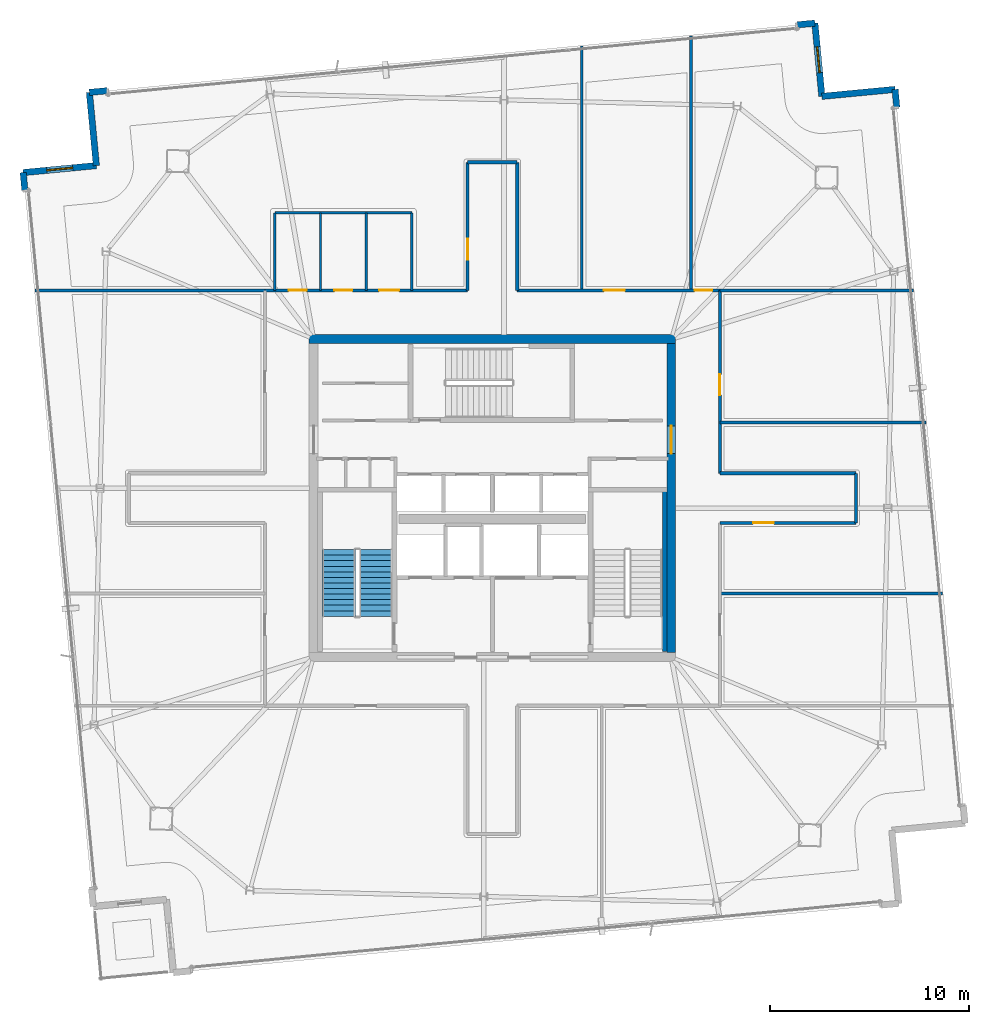
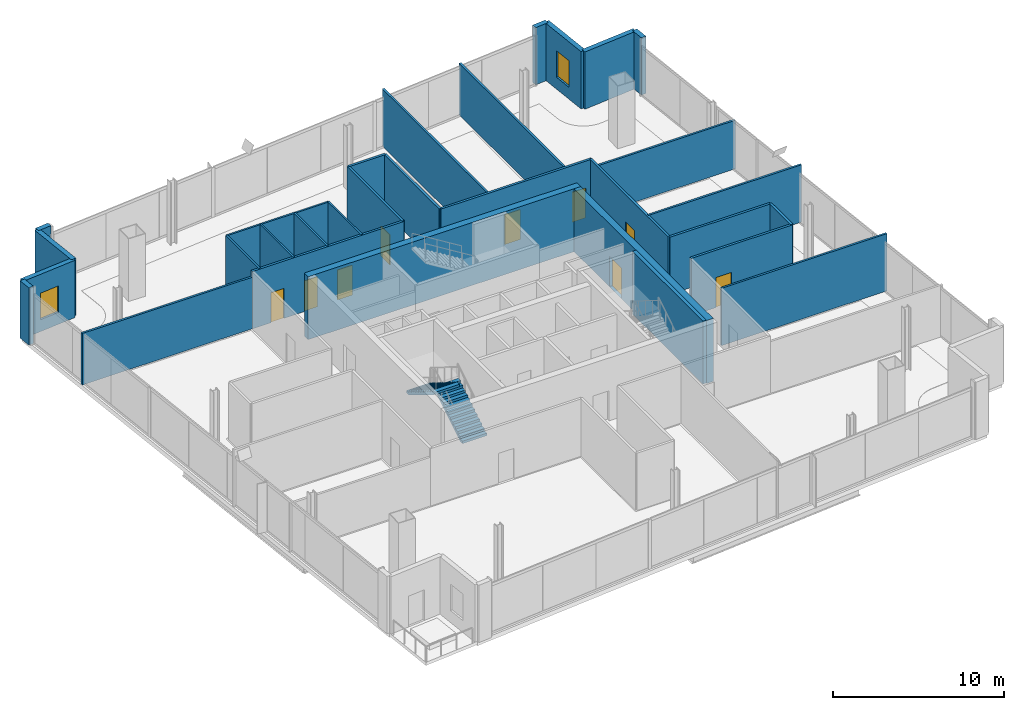
# One storey, part 20 of 24: 31 walls, 9 doors, 2 stair flights, 2 windows, 11 openings, 1 element without a shape of its own.
"""IFC4 building model written with IfcOpenShell, lengths in metres."""

from ifc_helpers import new_model, si_unit, direction, frame, frame_2d, origin, place, context, subcontext, project, spatial, polyline, rectangle, outline, extrude, material, layer, layer_set, type_object, element, fill, aggregate, save


model = new_model("IFC4")

# Units and contexts
model_context = context("Model", 3, precision=1e-05, world=origin(), true_north=direction((0.0, 1.0)))
body_context = subcontext(model_context, "Body", "Model", "MODEL_VIEW")
ifc_project = project(units=[si_unit("LENGTHUNIT", "METRE"), si_unit("AREAUNIT", "SQUARE_METRE"), si_unit("VOLUMEUNIT", "CUBIC_METRE"), si_unit("PLANEANGLEUNIT", "RADIAN"), si_unit("MASSUNIT", "GRAM", prefix="KILO")], contexts=[model_context])

# Site, building, storey
site_placement = place(None, origin())
site = spatial("IfcSite", under=ifc_project, at=site_placement, CompositionType="ELEMENT")
building_placement = place(site_placement, origin())
building = spatial("IfcBuilding", under=site, at=building_placement, Name="Haldenkirk Collegiate Tower", CompositionType="ELEMENT")
storey_placement = place(building_placement, frame((0.0, 0.0, 347.699951171875)))
storey = spatial("IfcBuildingStorey", under=building, at=storey_placement, Name="L88", CompositionType="ELEMENT", Elevation=347.699951171875)

# Wall
ifc_material_1 = material(Name="Concrete f'c 55 MPa", Category="concrete")
ifc_layer_1 = layer(ifc_material_1, 0.449951171875)
ifc_layer_set_1 = layer_set([ifc_layer_1], Name="Concrete f'c 55 MPa")
wall_type_1 = type_object("IfcWallType", Name="WL-CORE-450", PredefinedType="SHEAR", material=ifc_layer_set_1)
wall_1_placement = place(storey_placement, frame((26.77490234375, 34.0, 0.0), z_axis=(0.0, 0.0, 1.0), x_axis=(1.0, 0.0, 0.0)))
element("IfcWall", 1, at=wall_1_placement, inside=storey, type_object=wall_type_1, Name="L88 central core shear wall N", PredefinedType="SHEAR", context=body_context, shape_type="SweptSolid", body=[
    extrude(rectangle(XDim=18.4501953125, YDim=0.449951171875, at=frame_2d((9.22509765625, 0.0))), origin(), (0.0, 0.0, 1.0), 4.5),
])

# Wall, opening, door
wall_2_placement = place(storey_placement, frame((45.0, 18.22509765625, 0.0), z_axis=(0.0, 0.0, 1.0), x_axis=(0.0, 1.0, 0.0)))
wall_2 = element("IfcWall", 2, at=wall_2_placement, inside=storey, type_object=wall_type_1, Name="L88 central core shear wall E", PredefinedType="SHEAR", context=body_context, shape_type="SweptSolid", body=[
    extrude(rectangle(XDim=15.5498046875, YDim=0.449951171875, at=frame_2d((7.77490234375, 0.0))), origin(), (0.0, 0.0, 1.0), 4.5),
])
opening_1_placement = place(wall_2_placement, frame((10.014892578125, 0.0, 0.0)))
opening_1 = element("IfcOpeningElement", 3, at=opening_1_placement, cuts=wall_2, Name="Opening D-03", PredefinedType="OPENING", context=body_context, shape_type="SweptSolid", body=[
    extrude(rectangle(XDim=1.39990234375, YDim=2.199951171875, at=frame_2d((0.699951171875, 1.10009765625))), frame((0.0, 0.23486328125, 0.0), z_axis=(0.0, -1.0, 0.0), x_axis=(1.0, 0.0, 0.0)), (0.0, 0.0, 1.0), 0.469970703125),
])
ifc_material_2 = material(Name="Galvanized fire-rated hollow steel door", Category="steel")
ifc_layer_2 = layer(ifc_material_2, 0.06005859375)
ifc_layer_set_2 = layer_set([ifc_layer_2], Name="Galvanized fire-rated hollow steel door")
door_type_1 = type_object("IfcDoorType", Name="DR-LOBBY-FD90-1400", OperationType="NOTDEFINED", PredefinedType="DOOR", material=ifc_layer_set_2)
door_1_placement = place(opening_1_placement, origin())
door_1 = element("IfcDoor", 4, at=door_1_placement, inside=storey, type_object=door_type_1, Name="L88 east lift lobby portal", OperationType="DOUBLE_DOOR_SINGLE_SWING", OverallHeight=2.199951171875, OverallWidth=1.39990234375, PredefinedType="DOOR", context=body_context, shape_type="SweptSolid", body=[
    extrude(rectangle(XDim=1.39990234375, YDim=2.199951171875, at=frame_2d((0.699951171875, 1.10009765625))), frame((0.0, 0.02490234375, 0.0), z_axis=(0.0, -1.0, 0.0), x_axis=(1.0, 0.0, 0.0)), (0.0, 0.0, 1.0), 0.050048828125),
])
fill(opening_1, door_1)

# Walls
ifc_material_3 = material(Name="Precast concrete f'c 40 MPa", Category="concrete")
ifc_layer_3 = layer(ifc_material_3, 0.320068359375)
ifc_layer_set_3 = layer_set([ifc_layer_3], Name="Precast concrete f'c 40 MPa")
wall_type_2 = type_object("IfcWallType", Name="WL-EXT-TWR-320", PredefinedType="STANDARD", material=ifc_layer_set_3)
wall_3_placement = place(storey_placement, frame((56.26318359375, 46.5673828125, 0.0), z_axis=(0.0, 0.0, 1.0), x_axis=(0.094962739077, -0.995480827634, 0.0)))
element("IfcWall", 5, at=wall_3_placement, inside=storey, type_object=wall_type_2, Name="L88 precast corner pier SL", PredefinedType="STANDARD", context=body_context, shape_type="SweptSolid", body=[
    extrude(rectangle(XDim=0.89990234375, YDim=0.320068359375, at=frame_2d((0.449951171875, 0.0))), origin(), (0.0, 0.0, 1.0), 4.10009765625),
])
wall_4_placement = place(storey_placement, frame((52.579833984375, 46.216064453125, 0.0), z_axis=(0.0, 0.0, 1.0), x_axis=(0.995482117902, 0.094949212412, 0.0)))
element("IfcWall", 6, at=wall_4_placement, inside=storey, type_object=wall_type_2, Name="L88 bronze precast notch wall 02", PredefinedType="STANDARD", context=body_context, shape_type="SweptSolid", body=[
    extrude(rectangle(XDim=3.699951171875, YDim=0.320068359375, at=frame_2d((1.85009765625, 0.0))), origin(), (0.0, 0.0, 1.0), 4.10009765625),
])

# Wall, opening, window
wall_5_placement = place(storey_placement, frame((52.228515625, 49.8994140625, 0.0), z_axis=(0.0, 0.0, 1.0), x_axis=(0.094949212412, -0.995482117902, 0.0)))
wall_5 = element("IfcWall", 7, at=wall_5_placement, inside=storey, type_object=wall_type_2, Name="L88 bronze precast notch wall 03", PredefinedType="STANDARD", context=body_context, shape_type="SweptSolid", body=[
    extrude(rectangle(XDim=3.699951171875, YDim=0.320068359375, at=frame_2d((1.85009765625, 0.0))), origin(), (0.0, 0.0, 1.0), 4.10009765625),
])
opening_2_placement = place(wall_5_placement, frame((1.199951171875, 0.0, 0.85009765625)))
opening_2 = element("IfcOpeningElement", 8, at=opening_2_placement, cuts=wall_5, Name="Opening W-08", PredefinedType="OPENING", context=body_context, shape_type="SweptSolid", body=[
    extrude(rectangle(XDim=1.300048828125, YDim=1.89990234375, at=frame_2d((0.64990234375, 0.949951171875))), frame((0.0, 0.169921875, 0.0), z_axis=(0.0, -1.0, 0.0), x_axis=(1.0, 0.0, 0.0)), (0.0, 0.0, 1.0), 0.340087890625),
])
ifc_material_4 = material(Name="Low-E argon triple insulating glass", Category="glass")
ifc_layer_4 = layer(ifc_material_4, 0.090087890625)
ifc_layer_set_4 = layer_set([ifc_layer_4], Name="Low-E argon triple insulating glass")
window_type = type_object("IfcWindowType", Name="WN-Z6-1300X1900", PartitioningType="SINGLE_PANEL", PredefinedType="WINDOW", material=ifc_layer_set_4)
window_1_placement = place(opening_2_placement, origin())
window_1 = element("IfcWindow", 9, at=window_1_placement, inside=storey, type_object=window_type, Name="L88 precast-frame academic window 2", OverallHeight=1.89990234375, OverallWidth=1.300048828125, PartitioningType="SINGLE_PANEL", PredefinedType="WINDOW", context=body_context, shape_type="SweptSolid", body=[
    extrude(rectangle(XDim=1.300048828125, YDim=1.89990234375, at=frame_2d((0.64990234375, 0.949951171875))), frame((0.0, 0.030029296875, 0.0), z_axis=(0.0, -1.0, 0.0), x_axis=(1.0, 0.0, 0.0)), (0.0, 0.0, 1.0), 0.06005859375),
])
fill(opening_2, window_1)

# Walls
for number, where, z_axis, x_axis, name in (
    (10, (15.71923828125, 46.416015625, 0.0), (0.0, 0.0, 1.0), (0.995457602511, 0.095205890594, 0.0), "L88 precast corner pier EL"),
    (11, (51.33251953125, 49.81396484375, 0.0), (0.0, 0.0, 1.0), (0.995483273405, 0.094937096919, 0.0), "L88 precast corner pier ER"),
):
    element("IfcWall", number, at=place(storey_placement, frame(where, z_axis=z_axis, x_axis=x_axis)), inside=storey, type_object=wall_type_2, Name=name, PredefinedType="STANDARD", context=body_context, shape_type="SweptSolid", body=[
        extrude(rectangle(XDim=0.900146484375, YDim=0.320068359375, at=frame_2d((0.4501953125, 0.0))), origin(), (0.0, 0.0, 1.0), 4.10009765625),
    ])
wall_6_placement = place(storey_placement, frame((16.07080078125, 42.73291015625, 0.0), z_axis=(0.0, 0.0, 1.0), x_axis=(-0.095020841047, 0.995475283353, 0.0)))
element("IfcWall", 12, at=wall_6_placement, inside=storey, type_object=wall_type_2, Name="L88 bronze precast notch wall 05", PredefinedType="STANDARD", context=body_context, shape_type="SweptSolid", body=[
    extrude(rectangle(XDim=3.699951171875, YDim=0.320068359375, at=frame_2d((1.85009765625, 0.0))), origin(), (0.0, 0.0, 1.0), 4.10009765625),
])

# Wall, opening, window
wall_7_placement = place(storey_placement, frame((12.387451171875, 42.38134765625, 0.0), z_axis=(0.0, 0.0, 1.0), x_axis=(0.995475879086, 0.095014599714, 0.0)))
wall_7 = element("IfcWall", 13, at=wall_7_placement, inside=storey, type_object=wall_type_2, Name="L88 bronze precast notch wall 06", PredefinedType="STANDARD", context=body_context, shape_type="SweptSolid", body=[
    extrude(rectangle(XDim=3.7001953125, YDim=0.320068359375, at=frame_2d((1.85009765625, 0.0))), origin(), (0.0, 0.0, 1.0), 4.10009765625),
])
opening_3_placement = place(wall_7_placement, frame((1.199951171875, 0.0, 0.85009765625)))
opening_3 = element("IfcOpeningElement", 14, at=opening_3_placement, cuts=wall_7, Name="Opening W-08", PredefinedType="OPENING", context=body_context, shape_type="SweptSolid", body=[
    extrude(rectangle(XDim=1.300048828125, YDim=1.89990234375, at=frame_2d((0.64990234375, 0.949951171875))), frame((0.0, 0.169921875, 0.0), z_axis=(0.0, -1.0, 0.0), x_axis=(1.0, 0.0, 0.0)), (0.0, 0.0, 1.0), 0.340087890625),
])
window_2_placement = place(opening_3_placement, origin())
window_2 = element("IfcWindow", 15, at=window_2_placement, inside=storey, type_object=window_type, Name="L88 precast-frame academic window 5", OverallHeight=1.89990234375, OverallWidth=1.300048828125, PartitioningType="SINGLE_PANEL", PredefinedType="WINDOW", context=body_context, shape_type="SweptSolid", body=[
    extrude(rectangle(XDim=1.300048828125, YDim=1.89990234375, at=frame_2d((0.64990234375, 0.949951171875))), frame((0.0, 0.030029296875, 0.0), z_axis=(0.0, -1.0, 0.0), x_axis=(1.0, 0.0, 0.0)), (0.0, 0.0, 1.0), 0.06005859375),
])
fill(opening_3, window_2)

# Wall
wall_8_placement = place(storey_placement, frame((12.472900390625, 41.485595703125, 0.0), z_axis=(0.0, 0.0, 1.0), x_axis=(-0.094962739077, 0.995480827634, 0.0)))
element("IfcWall", 16, at=wall_8_placement, inside=storey, type_object=wall_type_2, Name="L88 precast corner pier NR", PredefinedType="STANDARD", context=body_context, shape_type="SweptSolid", body=[
    extrude(rectangle(XDim=0.89990234375, YDim=0.320068359375, at=frame_2d((0.449951171875, 0.0))), origin(), (0.0, 0.0, 1.0), 4.10009765625),
])

# Wall, openings, doors
ifc_material_5 = material(Name="Acoustic fire-rated gypsum partition", Category="concrete")
ifc_layer_5 = layer(ifc_material_5, 0.159912109375)
ifc_layer_set_5 = layer_set([ifc_layer_5], Name="Acoustic fire-rated gypsum partition")
wall_type_3 = type_object("IfcWallType", Name="WL-INT-CORR-160", PredefinedType="PARTITIONING", material=ifc_layer_set_5)
wall_9_placement = place(storey_placement, frame((24.5, 36.449951171875, 0.0), z_axis=(0.0, 0.0, 1.0), x_axis=(1.0, 0.0, 0.0)))
wall_9 = element("IfcWall", 17, at=wall_9_placement, inside=storey, type_object=wall_type_3, Name="L88 interior partition IW-L88-CN1", PredefinedType="PARTITIONING", context=body_context, shape_type="SweptSolid", body=[
    extrude(rectangle(XDim=10.25, YDim=0.159912109375, at=frame_2d((5.125, 0.0))), origin(), (0.0, 0.0, 1.0), 4.10009765625),
])
opening_4_placement = place(wall_9_placement, frame((1.25, 0.0, 0.0)))
opening_4 = element("IfcOpeningElement", 18, at=opening_4_placement, cuts=wall_9, Name="Opening D-13", PredefinedType="OPENING", context=body_context, shape_type="SweptSolid", body=[
    extrude(rectangle(XDim=0.89990234375, YDim=2.14990234375, at=frame_2d((0.449951171875, 1.074951171875))), frame((0.0, 0.08984375, 0.0), z_axis=(0.0, -1.0, 0.0), x_axis=(1.0, 0.0, 0.0)), (0.0, 0.0, 1.0), 0.179931640625),
])
opening_5_placement = place(wall_9_placement, frame((3.550048828125, 0.0, 0.0)))
opening_5 = element("IfcOpeningElement", 19, at=opening_5_placement, cuts=wall_9, Name="Opening D-13", PredefinedType="OPENING", context=body_context, shape_type="SweptSolid", body=[
    extrude(rectangle(XDim=0.89990234375, YDim=2.14990234375, at=frame_2d((0.449951171875, 1.074951171875))), frame((0.0, 0.08984375, 0.0), z_axis=(0.0, -1.0, 0.0), x_axis=(1.0, 0.0, 0.0)), (0.0, 0.0, 1.0), 0.179931640625),
])
opening_6_placement = place(wall_9_placement, frame((5.800048828125, 0.0, 0.0)))
opening_6 = element("IfcOpeningElement", 20, at=opening_6_placement, cuts=wall_9, Name="Opening D-14", PredefinedType="OPENING", context=body_context, shape_type="SweptSolid", body=[
    extrude(rectangle(XDim=1.0, YDim=2.14990234375, at=frame_2d((0.5, 1.074951171875))), frame((0.0, 0.08984375, 0.0), z_axis=(0.0, -1.0, 0.0), x_axis=(1.0, 0.0, 0.0)), (0.0, 0.0, 1.0), 0.179931640625),
])
ifc_material_6 = material(Name="Solid-core architectural oak fire door", Category="wood")
ifc_layer_6 = layer(ifc_material_6, 0.06005859375)
ifc_layer_set_6 = layer_set([ifc_layer_6], Name="Solid-core architectural oak fire door")
door_type_2 = type_object("IfcDoorType", Name="DR-INT-ACC-1000", OperationType="NOTDEFINED", PredefinedType="DOOR", material=ifc_layer_set_6)
door_2_placement = place(opening_6_placement, origin())
door_2 = element("IfcDoor", 21, at=door_2_placement, inside=storey, type_object=door_type_2, Name="L88 Accessible WC door", OperationType="SINGLE_SWING_RIGHT", OverallHeight=2.14990234375, OverallWidth=1.0, PredefinedType="DOOR", context=body_context, shape_type="SweptSolid", body=[
    extrude(rectangle(XDim=1.0, YDim=2.14990234375, at=frame_2d((0.5, 1.074951171875))), frame((0.0, 0.02490234375, 0.0), z_axis=(0.0, -1.0, 0.0), x_axis=(1.0, 0.0, 0.0)), (0.0, 0.0, 1.0), 0.050048828125),
])
fill(opening_6, door_2)
ifc_layer_7 = layer(ifc_material_6, 0.06005859375)
ifc_layer_set_7 = layer_set([ifc_layer_7], Name="Solid-core architectural oak fire door")
door_type_3 = type_object("IfcDoorType", Name="DR-INT-STD-900", OperationType="NOTDEFINED", PredefinedType="DOOR", material=ifc_layer_set_7)
door_3_placement = place(opening_4_placement, origin())
door_3 = element("IfcDoor", 22, at=door_3_placement, inside=storey, type_object=door_type_3, Name="L88 Male WC door", OperationType="SINGLE_SWING_RIGHT", OverallHeight=2.14990234375, OverallWidth=0.89990234375, PredefinedType="DOOR", context=body_context, shape_type="SweptSolid", body=[
    extrude(rectangle(XDim=0.89990234375, YDim=2.14990234375, at=frame_2d((0.449951171875, 1.074951171875))), frame((0.0, 0.02490234375, 0.0), z_axis=(0.0, -1.0, 0.0), x_axis=(1.0, 0.0, 0.0)), (0.0, 0.0, 1.0), 0.050048828125),
])
fill(opening_4, door_3)
door_4_placement = place(opening_5_placement, origin())
door_4 = element("IfcDoor", 23, at=door_4_placement, inside=storey, type_object=door_type_3, Name="L88 Female WC door", OperationType="SINGLE_SWING_LEFT", OverallHeight=2.14990234375, OverallWidth=0.89990234375, PredefinedType="DOOR", context=body_context, shape_type="SweptSolid", body=[
    extrude(rectangle(XDim=0.89990234375, YDim=2.14990234375, at=frame_2d((0.449951171875, 1.074951171875))), frame((0.0, 0.02490234375, 0.0), z_axis=(0.0, -1.0, 0.0), x_axis=(1.0, 0.0, 0.0)), (0.0, 0.0, 1.0), 0.050048828125),
])
fill(opening_5, door_4)

wall_10_placement = place(storey_placement, frame((37.25, 36.449951171875, 0.0), z_axis=(0.0, 0.0, 1.0), x_axis=(1.0, 0.0, 0.0)))
wall_10 = element("IfcWall", 24, at=wall_10_placement, inside=storey, type_object=wall_type_3, Name="L88 interior partition IW-L88-CN2", PredefinedType="PARTITIONING", context=body_context, shape_type="SweptSolid", body=[
    extrude(rectangle(XDim=10.25, YDim=0.159912109375, at=frame_2d((5.125, 0.0))), origin(), (0.0, 0.0, 1.0), 4.10009765625),
])
opening_7_placement = place(wall_10_placement, frame((4.364990234375, 0.0, 0.0)))
opening_7 = element("IfcOpeningElement", 25, at=opening_7_placement, cuts=wall_10, Name="Opening D-09", PredefinedType="OPENING", context=body_context, shape_type="SweptSolid", body=[
    extrude(rectangle(XDim=1.050048828125, YDim=2.14990234375, at=frame_2d((0.52490234375, 1.074951171875))), frame((0.0, 0.08984375, 0.0), z_axis=(0.0, -1.0, 0.0), x_axis=(1.0, 0.0, 0.0)), (0.0, 0.0, 1.0), 0.179931640625),
])
opening_8_placement = place(wall_10_placement, frame((8.925048828125, 0.0, 0.0)))
opening_8 = element("IfcOpeningElement", 26, at=opening_8_placement, cuts=wall_10, Name="Opening D-11", PredefinedType="OPENING", context=body_context, shape_type="SweptSolid", body=[
    extrude(rectangle(XDim=0.89990234375, YDim=2.14990234375, at=frame_2d((0.449951171875, 1.074951171875))), frame((0.0, 0.08984375, 0.0), z_axis=(0.0, -1.0, 0.0), x_axis=(1.0, 0.0, 0.0)), (0.0, 0.0, 1.0), 0.179931640625),
])
ifc_layer_8 = layer(ifc_material_6, 0.06005859375)
ifc_layer_set_8 = layer_set([ifc_layer_8], Name="Solid-core architectural oak fire door")
door_type_4 = type_object("IfcDoorType", Name="DR-INT-FD60-1050", OperationType="NOTDEFINED", PredefinedType="DOOR", material=ifc_layer_set_8)
door_5_placement = place(opening_7_placement, origin())
door_5 = element("IfcDoor", 27, at=door_5_placement, inside=storey, type_object=door_type_4, Name="L88 Architectural Crit Studio 4 door", OperationType="SINGLE_SWING_RIGHT", OverallHeight=2.14990234375, OverallWidth=1.050048828125, PredefinedType="DOOR", context=body_context, shape_type="SweptSolid", body=[
    extrude(rectangle(XDim=1.050048828125, YDim=2.14990234375, at=frame_2d((0.52490234375, 1.074951171875))), frame((0.0, 0.02490234375, 0.0), z_axis=(0.0, -1.0, 0.0), x_axis=(1.0, 0.0, 0.0)), (0.0, 0.0, 1.0), 0.050048828125),
])
fill(opening_7, door_5)
ifc_layer_9 = layer(ifc_material_6, 0.06005859375)
ifc_layer_set_9 = layer_set([ifc_layer_9], Name="Solid-core architectural oak fire door")
door_type_5 = type_object("IfcDoorType", Name="DR-INT-FD60-900", OperationType="NOTDEFINED", PredefinedType="DOOR", material=ifc_layer_set_9)
door_6_placement = place(opening_8_placement, origin())
door_6 = element("IfcDoor", 28, at=door_6_placement, inside=storey, type_object=door_type_5, Name="L88 Urbanism Pin-Up Studio 5 door", OperationType="SINGLE_SWING_LEFT", OverallHeight=2.14990234375, OverallWidth=0.89990234375, PredefinedType="DOOR", context=body_context, shape_type="SweptSolid", body=[
    extrude(rectangle(XDim=0.89990234375, YDim=2.14990234375, at=frame_2d((0.449951171875, 1.074951171875))), frame((0.0, 0.02490234375, 0.0), z_axis=(0.0, -1.0, 0.0), x_axis=(1.0, 0.0, 0.0)), (0.0, 0.0, 1.0), 0.050048828125),
])
fill(opening_8, door_6)

# Wall, opening, door
wall_11_placement = place(storey_placement, frame((47.449951171875, 27.25, 0.0), z_axis=(0.0, 0.0, 1.0), x_axis=(0.0, 1.0, 0.0)))
wall_11 = element("IfcWall", 29, at=wall_11_placement, inside=storey, type_object=wall_type_3, Name="L88 interior partition IW-L88-CE2", PredefinedType="PARTITIONING", context=body_context, shape_type="SweptSolid", body=[
    extrude(rectangle(XDim=9.199951171875, YDim=0.159912109375, at=frame_2d((4.60009765625, 0.0))), origin(), (0.0, 0.0, 1.0), 4.10009765625),
])
opening_9_placement = place(wall_11_placement, frame((3.927001953125, 0.0, 0.0)))
opening_9 = element("IfcOpeningElement", 30, at=opening_9_placement, cuts=wall_11, Name="Opening D-09", PredefinedType="OPENING", context=body_context, shape_type="SweptSolid", body=[
    extrude(rectangle(XDim=1.050048828125, YDim=2.14990234375, at=frame_2d((0.52490234375, 1.074951171875))), frame((0.0, 0.08984375, 0.0), z_axis=(0.0, -1.0, 0.0), x_axis=(1.0, 0.0, 0.0)), (0.0, 0.0, 1.0), 0.179931640625),
])
door_7_placement = place(opening_9_placement, origin())
door_7 = element("IfcDoor", 31, at=door_7_placement, inside=storey, type_object=door_type_4, Name="L88 Architectural Crit Studio 10 door", OperationType="SINGLE_SWING_RIGHT", OverallHeight=2.14990234375, OverallWidth=1.050048828125, PredefinedType="DOOR", context=body_context, shape_type="SweptSolid", body=[
    extrude(rectangle(XDim=1.050048828125, YDim=2.14990234375, at=frame_2d((0.52490234375, 1.074951171875))), frame((0.0, 0.02490234375, 0.0), z_axis=(0.0, -1.0, 0.0), x_axis=(1.0, 0.0, 0.0)), (0.0, 0.0, 1.0), 0.050048828125),
])
fill(opening_9, door_7)

wall_12_placement = place(storey_placement, frame((34.75, 36.449951171875, 0.0), z_axis=(0.0, 0.0, 1.0), x_axis=(0.0, 1.0, 0.0)))
wall_12 = element("IfcWall", 32, at=wall_12_placement, inside=storey, type_object=wall_type_3, Name="L88 interior partition IW-L88-NPW", PredefinedType="PARTITIONING", context=body_context, shape_type="SweptSolid", body=[
    extrude(rectangle(XDim=6.449951171875, YDim=0.159912109375, at=frame_2d((3.22509765625, 0.0))), origin(), (0.0, 0.0, 1.0), 4.10009765625),
])
opening_10_placement = place(wall_12_placement, frame((1.5390625, 0.0, 0.0)))
opening_10 = element("IfcOpeningElement", 33, at=opening_10_placement, cuts=wall_12, Name="Opening D-09", PredefinedType="OPENING", context=body_context, shape_type="SweptSolid", body=[
    extrude(rectangle(XDim=1.050048828125, YDim=2.14990234375, at=frame_2d((0.52490234375, 1.074951171875))), frame((0.0, 0.08984375, 0.0), z_axis=(0.0, -1.0, 0.0), x_axis=(1.0, 0.0, 0.0)), (0.0, 0.0, 1.0), 0.179931640625),
])
door_8_placement = place(opening_10_placement, origin())
door_8 = element("IfcDoor", 34, at=door_8_placement, inside=storey, type_object=door_type_4, Name="L88 Collegiate Supply Shop 3 door", OperationType="SINGLE_SWING_LEFT", OverallHeight=2.14990234375, OverallWidth=1.050048828125, PredefinedType="DOOR", context=body_context, shape_type="SweptSolid", body=[
    extrude(rectangle(XDim=1.050048828125, YDim=2.14990234375, at=frame_2d((0.52490234375, 1.074951171875))), frame((0.0, 0.02490234375, 0.0), z_axis=(0.0, -1.0, 0.0), x_axis=(1.0, 0.0, 0.0)), (0.0, 0.0, 1.0), 0.050048828125),
])
fill(opening_10, door_8)

# Walls
wall_13_placement = place(storey_placement, frame((37.25, 36.449951171875, 0.0), z_axis=(0.0, 0.0, 1.0), x_axis=(0.0, 1.0, 0.0)))
element("IfcWall", 35, at=wall_13_placement, inside=storey, type_object=wall_type_3, Name="L88 interior partition IW-L88-NPE", PredefinedType="PARTITIONING", context=body_context, shape_type="SweptSolid", body=[
    extrude(rectangle(XDim=6.449951171875, YDim=0.159912109375, at=frame_2d((3.22509765625, 0.0))), origin(), (0.0, 0.0, 1.0), 4.10009765625),
])
wall_14_placement = place(storey_placement, frame((34.75, 42.89990234375, 0.0), z_axis=(0.0, 0.0, 1.0), x_axis=(1.0, 0.0, 0.0)))
element("IfcWall", 36, at=wall_14_placement, inside=storey, type_object=wall_type_3, Name="L88 interior partition IW-L88-NPN", PredefinedType="PARTITIONING", context=body_context, shape_type="SweptSolid", body=[
    extrude(rectangle(XDim=2.5, YDim=0.159912109375, at=frame_2d((1.25, 0.0))), origin(), (0.0, 0.0, 1.0), 4.10009765625),
])

# Wall, opening, door
wall_15_placement = place(storey_placement, frame((47.449951171875, 24.75, 0.0), z_axis=(0.0, 0.0, 1.0), x_axis=(1.0, 0.0, 0.0)))
wall_15 = element("IfcWall", 37, at=wall_15_placement, inside=storey, type_object=wall_type_3, Name="L88 interior partition IW-L88-EPS", PredefinedType="PARTITIONING", context=body_context, shape_type="SweptSolid", body=[
    extrude(rectangle(XDim=6.85009765625, YDim=0.159912109375, at=frame_2d((3.425048828125, 0.0))), origin(), (0.0, 0.0, 1.0), 4.10009765625),
])
opening_11_placement = place(wall_15_placement, frame((1.6669921875, 0.0, 0.0)))
opening_11 = element("IfcOpeningElement", 38, at=opening_11_placement, cuts=wall_15, Name="Opening D-09", PredefinedType="OPENING", context=body_context, shape_type="SweptSolid", body=[
    extrude(rectangle(XDim=1.050048828125, YDim=2.14990234375, at=frame_2d((0.52490234375, 1.074951171875))), frame((0.0, 0.08984375, 0.0), z_axis=(0.0, -1.0, 0.0), x_axis=(1.0, 0.0, 0.0)), (0.0, 0.0, 1.0), 0.179931640625),
])
door_9_placement = place(opening_11_placement, origin())
door_9 = element("IfcDoor", 39, at=door_9_placement, inside=storey, type_object=door_type_4, Name="L88 Collegiate Supply Shop 9 door", OperationType="SINGLE_SWING_LEFT", OverallHeight=2.14990234375, OverallWidth=1.050048828125, PredefinedType="DOOR", context=body_context, shape_type="SweptSolid", body=[
    extrude(rectangle(XDim=1.050048828125, YDim=2.14990234375, at=frame_2d((0.52490234375, 1.074951171875))), frame((0.0, 0.02490234375, 0.0), z_axis=(0.0, -1.0, 0.0), x_axis=(1.0, 0.0, 0.0)), (0.0, 0.0, 1.0), 0.050048828125),
])
fill(opening_11, door_9)

# Walls
wall_16_placement = place(storey_placement, frame((47.449951171875, 27.25, 0.0), z_axis=(0.0, 0.0, 1.0), x_axis=(1.0, 0.0, 0.0)))
element("IfcWall", 40, at=wall_16_placement, inside=storey, type_object=wall_type_3, Name="L88 interior partition IW-L88-EPN", PredefinedType="PARTITIONING", context=body_context, shape_type="SweptSolid", body=[
    extrude(rectangle(XDim=6.85009765625, YDim=0.159912109375, at=frame_2d((3.425048828125, 0.0))), origin(), (0.0, 0.0, 1.0), 4.10009765625),
])
wall_17_placement = place(storey_placement, frame((54.300048828125, 24.75, 0.0), z_axis=(0.0, 0.0, 1.0), x_axis=(0.0, 1.0, 0.0)))
element("IfcWall", 41, at=wall_17_placement, inside=storey, type_object=wall_type_3, Name="L88 interior partition IW-L88-EPE", PredefinedType="PARTITIONING", context=body_context, shape_type="SweptSolid", body=[
    extrude(rectangle(XDim=2.5, YDim=0.159912109375, at=frame_2d((1.25, 0.0))), origin(), (0.0, 0.0, 1.0), 4.10009765625),
])
ifc_layer_10 = layer(ifc_material_5, 0.139892578125)
ifc_layer_set_10 = layer_set([ifc_layer_10], Name="Acoustic fire-rated gypsum partition")
wall_type_4 = type_object("IfcWallType", Name="WL-INT-DIV-140", PredefinedType="PARTITIONING", material=ifc_layer_set_10)
wall_18_placement = place(storey_placement, frame((12.993408203125, 36.449951171875, 0.0), z_axis=(0.0, 0.0, 1.0), x_axis=(1.0, 0.0, 0.0)))
element("IfcWall", 42, at=wall_18_placement, inside=storey, type_object=wall_type_4, Name="L88 interior partition IW-L88-BWN", PredefinedType="PARTITIONING", context=body_context, shape_type="SweptSolid", body=[
    extrude(rectangle(XDim=11.556640625, YDim=0.139892578125, at=frame_2d((5.7783203125, 0.0))), origin(), (0.0, 0.0, 1.0), 3.68896484375),
])
wall_19_placement = place(storey_placement, frame((47.449951171875, 36.449951171875, 0.0), z_axis=(0.0, 0.0, 1.0), x_axis=(1.0, 0.0, 0.0)))
element("IfcWall", 43, at=wall_19_placement, inside=storey, type_object=wall_type_4, Name="L88 interior partition IW-L88-BEN", PredefinedType="PARTITIONING", context=body_context, shape_type="SweptSolid", body=[
    extrude(rectangle(XDim=9.73828125, YDim=0.139892578125, at=frame_2d((4.869140625, 0.0))), origin(), (0.0, 0.0, 1.0), 3.47802734375),
])
wall_20_placement = place(storey_placement, frame((40.5, 36.449951171875, 0.0), z_axis=(0.0, 0.0, 1.0), x_axis=(0.0, 1.0, 0.0)))
element("IfcWall", 44, at=wall_20_placement, inside=storey, type_object=wall_type_4, Name="L88 interior partition IW-L88-RN1", PredefinedType="PARTITIONING", context=body_context, shape_type="SweptSolid", body=[
    extrude(rectangle(XDim=12.290283203125, YDim=0.139892578125, at=frame_2d((6.14501953125, 0.0))), origin(), (0.0, 0.0, 1.0), 4.10009765625),
])
wall_21_placement = place(storey_placement, frame((46.0, 36.449951171875, 0.0), z_axis=(0.0, 0.0, 1.0), x_axis=(0.0, 1.0, 0.0)))
element("IfcWall", 45, at=wall_21_placement, inside=storey, type_object=wall_type_4, Name="L88 interior partition IW-L88-RN2", PredefinedType="PARTITIONING", context=body_context, shape_type="SweptSolid", body=[
    extrude(rectangle(XDim=12.81494140625, YDim=0.139892578125, at=frame_2d((6.407470703125, 0.0))), origin(), (0.0, 0.0, 1.0), 3.68896484375),
])
wall_22_placement = place(storey_placement, frame((47.449951171875, 21.199951171875, 0.0), z_axis=(0.0, 0.0, 1.0), x_axis=(1.0, 0.0, 0.0)))
element("IfcWall", 46, at=wall_22_placement, inside=storey, type_object=wall_type_4, Name="L88 interior partition IW-L88-RE1", PredefinedType="PARTITIONING", context=body_context, shape_type="SweptSolid", body=[
    extrude(rectangle(XDim=11.193359375, YDim=0.139892578125, at=frame_2d((5.5966796875, 0.0))), origin(), (0.0, 0.0, 1.0), 4.10009765625),
])
wall_23_placement = place(storey_placement, frame((47.449951171875, 29.800048828125, 0.0), z_axis=(0.0, 0.0, 1.0), x_axis=(1.0, 0.0, 0.0)))
element("IfcWall", 47, at=wall_23_placement, inside=storey, type_object=wall_type_4, Name="L88 interior partition IW-L88-RE2", PredefinedType="PARTITIONING", context=body_context, shape_type="SweptSolid", body=[
    extrude(rectangle(XDim=10.372802734375, YDim=0.139892578125, at=frame_2d((5.1865234375, 0.0))), origin(), (0.0, 0.0, 1.0), 4.10009765625),
])
ifc_layer_11 = layer(ifc_material_5, 0.1201171875)
ifc_layer_set_11 = layer_set([ifc_layer_11], Name="Acoustic fire-rated gypsum partition")
wall_type_5 = type_object("IfcWallType", Name="WL-INT-WET-120", PredefinedType="PARTITIONING", material=ifc_layer_set_11)
for number, where, z_axis, x_axis, name in (
    (48, (25.050048828125, 36.449951171875, 0.0), (0.0, 0.0, 1.0), (0.0, 1.0, 0.0), "L88 interior partition IW-L88-WCW"),
    (49, (27.35009765625, 36.449951171875, 0.0), (0.0, 0.0, 1.0), (0.0, 1.0, 0.0), "L88 interior partition IW-L88-WC1"),
    (50, (29.64990234375, 36.449951171875, 0.0), (0.0, 0.0, 1.0), (0.0, 1.0, 0.0), "L88 interior partition IW-L88-WC2"),
    (51, (31.949951171875, 36.449951171875, 0.0), (0.0, 0.0, 1.0), (0.0, 1.0, 0.0), "L88 interior partition IW-L88-WCE"),
):
    element("IfcWall", number, at=place(storey_placement, frame(where, z_axis=z_axis, x_axis=x_axis)), inside=storey, type_object=wall_type_5, Name=name, PredefinedType="PARTITIONING", context=body_context, shape_type="SweptSolid", body=[
        extrude(rectangle(XDim=3.900146484375, YDim=0.1201171875, at=frame_2d((1.9501953125, 0.0))), origin(), (0.0, 0.0, 1.0), 4.10009765625),
    ])
wall_24_placement = place(storey_placement, frame((25.050048828125, 40.35009765625, 0.0), z_axis=(0.0, 0.0, 1.0), x_axis=(1.0, 0.0, 0.0)))
element("IfcWall", 52, at=wall_24_placement, inside=storey, type_object=wall_type_5, Name="L88 interior partition IW-L88-WCB", PredefinedType="PARTITIONING", context=body_context, shape_type="SweptSolid", body=[
    extrude(rectangle(XDim=6.89990234375, YDim=0.1201171875, at=frame_2d((3.449951171875, 0.0))), origin(), (0.0, 0.0, 1.0), 4.10009765625),
])
ifc_layer_12 = layer(ifc_material_1, 0.239990234375)
ifc_layer_set_12 = layer_set([ifc_layer_12], Name="Concrete f'c 55 MPa")
wall_type_6 = type_object("IfcWallType", Name="WL-SHAFT-240", PredefinedType="SHEAR", material=ifc_layer_set_12)
wall_25_placement = place(storey_placement, frame((44.669921875, 18.280029296875, 0.0), z_axis=(0.0, 0.0, 1.0), x_axis=(0.0, 1.0, 0.0)))
element("IfcWall", 53, at=wall_25_placement, inside=storey, type_object=wall_type_6, Name="L88 stair shaft shear wall SW-L88-ST2E", PredefinedType="SHEAR", context=body_context, shape_type="SweptSolid", body=[
    extrude(rectangle(XDim=8.260009765625, YDim=0.239990234375, at=frame_2d((4.1298828125, 0.0))), origin(), (0.0, 0.0, 1.0), 4.5),
])

# Stair, stair flights
ifc_material_7 = material(Name="Concrete f'c 40 MPa", Category="concrete")
stair_type = type_object("IfcStairType", Name="STR-DOGLEG-1650", PredefinedType="HALF_TURN_STAIR", material=ifc_material_7)
stair_placement = place(storey_placement, origin())
stair = element("IfcStair", 54, at=stair_placement, inside=storey, type_object=stair_type, Name="L88 Core Exit Stair ST-1", PredefinedType="HALF_TURN_STAIR")
stair_flight_type = type_object("IfcStairFlightType", Name="STF-FLIGHT-1650", PredefinedType="STRAIGHT", material=ifc_material_7)
stair_flight_1_placement = place(storey_placement, frame((30.125, 20.050048828125, 0.0), z_axis=(0.0, 0.0, 1.0), x_axis=(0.0, 1.0, 0.0)))
stair_flight_1 = element("IfcStairFlight", 55, at=stair_flight_1_placement, type_object=stair_flight_type, Name="ST-1 flight 1", NumberOfRisers=13, NumberOfTreads=12, PredefinedType="STRAIGHT", RiserHeight=0.173076923, TreadLength=0.28, context=body_context, shape_type="SweptSolid", body=[
    extrude(outline(polyline([(0.0, 0.0), (0.0, 0.173095703125), (0.280029296875, 0.173095703125), (0.280029296875, 0.34619140625), (0.56005859375, 0.34619140625), (0.56005859375, 0.519287109375), (0.840087890625, 0.519287109375), (0.840087890625, 0.6923828125), (1.1201171875, 0.6923828125), (1.1201171875, 0.865478515625), (1.39990234375, 0.865478515625), (1.39990234375, 1.03857421875), (1.679931640625, 1.03857421875), (1.679931640625, 1.21142578125), (1.9599609375, 1.21142578125), (1.9599609375, 1.384521484375), (2.239990234375, 1.384521484375), (2.239990234375, 1.5576171875), (2.52001953125, 1.5576171875), (2.52001953125, 1.730712890625), (2.800048828125, 1.730712890625), (2.800048828125, 1.90380859375), (3.080078125, 1.90380859375), (3.080078125, 2.076904296875), (3.360107421875, 2.076904296875), (3.360107421875, 2.25), (3.360107421875, 1.900634765625), (0.28515625, 0.0), (0.0, 0.0)])), frame((0.0, 0.824951171875, 0.0), z_axis=(0.0, -1.0, 0.0), x_axis=(1.0, 0.0, 0.0)), (0.0, 0.0, 1.0), 1.64990234375),
])
stair_flight_2_placement = place(storey_placement, frame((28.27490234375, 23.409912109375, 2.25), z_axis=(0.0, 0.0, 1.0), x_axis=(0.0, -1.0, 0.0)))
stair_flight_2 = element("IfcStairFlight", 56, at=stair_flight_2_placement, type_object=stair_flight_type, Name="ST-1 flight 2", NumberOfRisers=13, NumberOfTreads=12, PredefinedType="STRAIGHT", RiserHeight=0.173076923, TreadLength=0.28, context=body_context, shape_type="SweptSolid", body=[
    extrude(outline(polyline([(0.0, 0.0), (0.0, 0.173095703125), (0.280029296875, 0.173095703125), (0.280029296875, 0.34619140625), (0.56005859375, 0.34619140625), (0.56005859375, 0.519287109375), (0.840087890625, 0.519287109375), (0.840087890625, 0.6923828125), (1.1201171875, 0.6923828125), (1.1201171875, 0.865478515625), (1.39990234375, 0.865478515625), (1.39990234375, 1.03857421875), (1.679931640625, 1.03857421875), (1.679931640625, 1.21142578125), (1.9599609375, 1.21142578125), (1.9599609375, 1.384521484375), (2.239990234375, 1.384521484375), (2.239990234375, 1.5576171875), (2.52001953125, 1.5576171875), (2.52001953125, 1.730712890625), (2.800048828125, 1.730712890625), (2.800048828125, 1.90380859375), (3.080078125, 1.90380859375), (3.080078125, 2.076904296875), (3.360107421875, 2.076904296875), (3.360107421875, 2.25), (3.360107421875, 1.900634765625), (0.28515625, 0.0), (0.0, 0.0)])), frame((0.0, 0.824951171875, 0.0), z_axis=(0.0, -1.0, 0.0), x_axis=(1.0, 0.0, 0.0)), (0.0, 0.0, 1.0), 1.64990234375),
])
aggregate(stair, [stair_flight_1, stair_flight_2])

save(model, "model.ifc")
